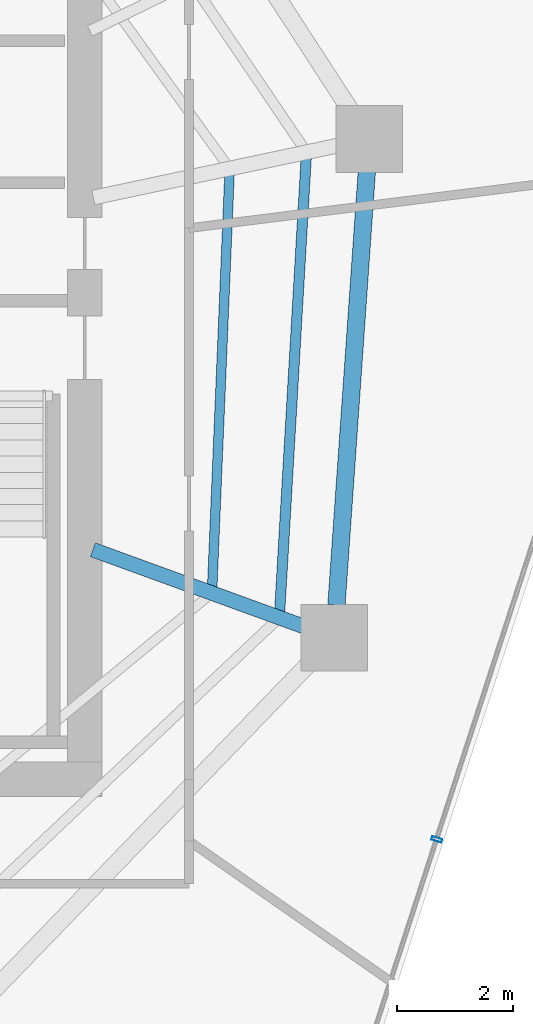
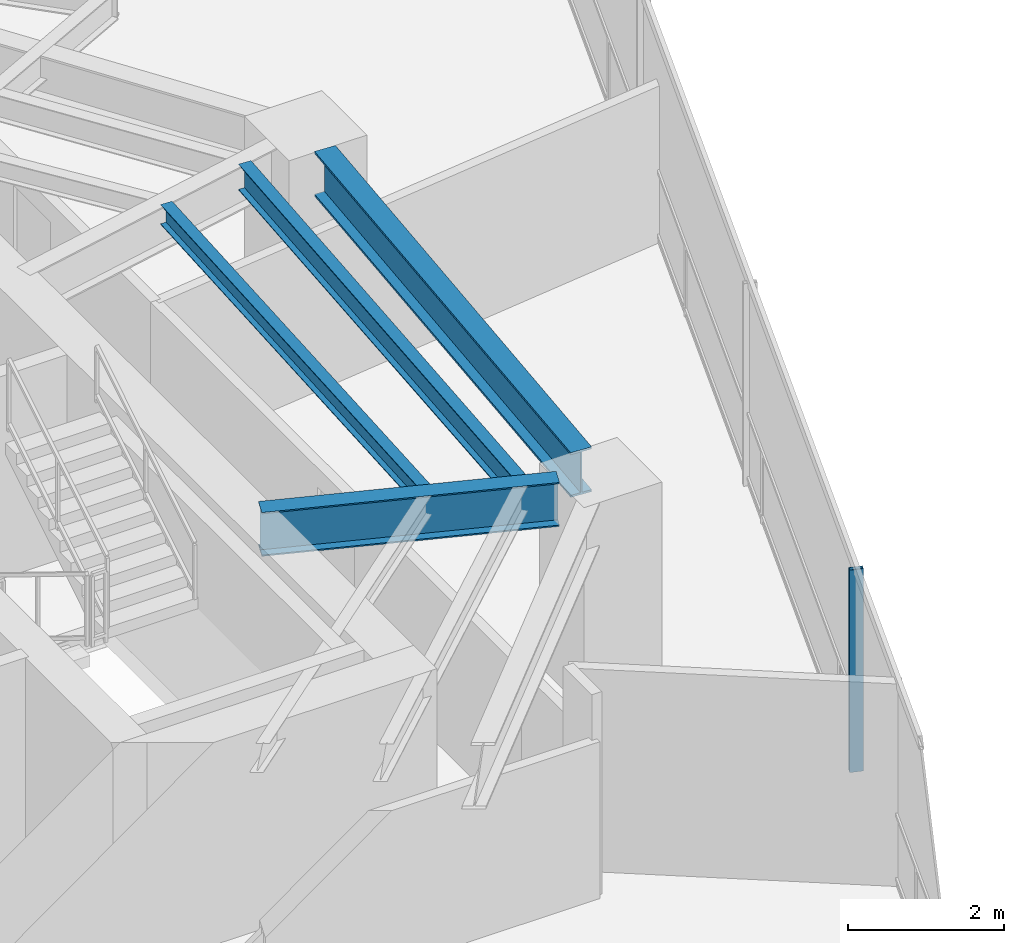
# One storey, part 11 of 27: 4 beams, 1 member, 1 element without a shape of its own.
"""IFC4 building model written with IfcOpenShell, lengths in metres."""

import ifcopenshell
import ifcopenshell.guid

model = None  # the IFC model being written
_history = None  # IfcOwnerHistory: only IFC2X3 demands one
_inside = {}  # id of a spatial element -> (the spatial element, [elements in it])
_under = {}  # id of a project, library or spatial element -> (it, [spatial elements below it])
_declared = {}  # id of a project -> (the project, [libraries it declares])
_typed = {}  # id of a type object -> (the type object, [elements of that type])
_made_of = {}  # id of a material, layer set ... -> (it, [elements and type objects made of it])


def new_model(schema):
    """Start an empty IFC model of exactly this schema.

    Asked for "IFC4X3", IfcOpenShell would pick the latest addendum, in which some entities
    have other attributes; the version numbers below select the first issue.
    IFC2X3 requires an IfcOwnerHistory on every rooted entity: one is made here for all.
    """
    global model, _history
    if schema == "IFC4X3":
        model = ifcopenshell.file(schema_version=(4, 3, 0, 0))
    else:
        model = ifcopenshell.file(schema=schema)
    _inside.clear()
    _under.clear()
    _declared.clear()
    _typed.clear()
    _made_of.clear()
    _history = None
    if model.schema == "IFC2X3":
        org = make("IfcOrganization", Name="unknown")
        user = make(
            "IfcPersonAndOrganization",
            ThePerson=make("IfcPerson", FamilyName="unknown"),
            TheOrganization=org,
        )
        app = make(
            "IfcApplication",
            ApplicationDeveloper=org,
            Version="unknown",
            ApplicationFullName="unknown",
            ApplicationIdentifier="unknown",
        )
        _history = make(
            "IfcOwnerHistory",
            OwningUser=user,
            OwningApplication=app,
            ChangeAction="ADDED",
            CreationDate=0,
        )
    return model


def make(cls, **values):
    """One entity of the class cls with the attributes given. An attribute that is None is left unset."""
    return model.create_entity(
        cls, **{name: value for name, value in values.items() if value is not None}
    )


def rooted(cls, **values):
    """An entity with a GlobalId (a new one), such as an element, a storey or a relation."""
    return make(cls, GlobalId=ifcopenshell.guid.new(), OwnerHistory=_history, **values)


def si_unit(unit_type, name, prefix=None):
    """IfcSIUnit, for example si_unit("LENGTHUNIT", "METRE", prefix="MILLI")."""
    return make("IfcSIUnit", UnitType=unit_type, Prefix=prefix, Name=name)


def assignment(units):
    """IfcUnitAssignment: the units of a project."""
    return None if units is None else make("IfcUnitAssignment", Units=units)


def point(xyz):
    """IfcCartesianPoint."""
    return None if xyz is None else make("IfcCartesianPoint", Coordinates=xyz)


def direction(xyz):
    """IfcDirection."""
    return None if xyz is None else make("IfcDirection", DirectionRatios=xyz)


def frame(location, z_axis=None, x_axis=None):
    """IfcAxis2Placement3D, a coordinate frame: its origin and axes. An axis left out is left unset."""
    return make(
        "IfcAxis2Placement3D",
        Location=point(location),
        Axis=direction(z_axis),
        RefDirection=direction(x_axis),
    )


def frame_2d(location, x_axis=None):
    """IfcAxis2Placement2D, a coordinate frame in the plane: its origin and x axis."""
    return make(
        "IfcAxis2Placement2D", Location=point(location), RefDirection=direction(x_axis)
    )


def origin():
    """The frame at (0, 0, 0) with its axes left unset."""
    return frame((0.0, 0.0, 0.0))


def origin_2d():
    """The frame at (0, 0) in the plane with its x axis left unset."""
    return frame_2d((0.0, 0.0))


def place(relative_to, where):
    """IfcLocalPlacement: puts the frame where relative to a parent placement (None: the world)."""
    return make(
        "IfcLocalPlacement", PlacementRelTo=relative_to, RelativePlacement=where
    )


def context(
    kind, dimensions, precision=None, world=None, true_north=None, identifier=None
):
    """IfcGeometricRepresentationContext, for example the 3D "Model" context."""
    return make(
        "IfcGeometricRepresentationContext",
        ContextIdentifier=identifier,
        ContextType=kind,
        CoordinateSpaceDimension=dimensions,
        Precision=precision,
        WorldCoordinateSystem=world,
        TrueNorth=true_north,
    )


def subcontext(parent, identifier, kind, view, scale=None):
    """IfcGeometricRepresentationSubContext, for example "Body" below "Model"."""
    return make(
        "IfcGeometricRepresentationSubContext",
        ContextIdentifier=identifier,
        ContextType=kind,
        ParentContext=parent,
        TargetScale=scale,
        TargetView=view,
    )


def project(units=None, contexts=None):
    """IfcProject with its units and contexts."""
    return rooted(
        "IfcProject",
        Name="project",
        RepresentationContexts=contexts,
        UnitsInContext=assignment(units),
    )


def spatial(cls, under=None, at=None, **own):
    """A site, building, storey or space (cls), placed at a placement, below another one or the project."""
    s = rooted(cls, ObjectPlacement=at, **own)
    if under is not None:
        _under.setdefault(under.id(), (under, []))[1].append(s)
    return s


def profile(cls, at=None, kind="AREA", **sizes):
    """A parametric profile (cls). Its sizes go by their IFC names, for example OverallWidth=200.0."""
    return make(cls, ProfileType=kind, Position=at, **sizes)


def hollow_rectangle(**sizes):
    """IfcRectangleHollowProfileDef."""
    return profile("IfcRectangleHollowProfileDef", **sizes)


def i_section(**sizes):
    """IfcIShapeProfileDef."""
    return profile("IfcIShapeProfileDef", **sizes)


def extrude(swept, where, along, depth):
    """IfcExtrudedAreaSolid: the profile swept, set in the frame where, extruded along a direction by depth."""
    return make(
        "IfcExtrudedAreaSolid",
        SweptArea=swept,
        Position=where,
        ExtrudedDirection=direction(along),
        Depth=depth,
    )


def shape(context_of_items, identifier, shape_type, items):
    """IfcShapeRepresentation: the items that make up one representation, for example the "Body"."""
    return make(
        "IfcShapeRepresentation",
        ContextOfItems=context_of_items,
        RepresentationIdentifier=identifier,
        RepresentationType=shape_type,
        Items=items,
    )


def material(Name=None, Category=None):
    """IfcMaterial."""
    return make("IfcMaterial", Name=Name, Category=Category)


def layer(
    of_material, thickness, ventilated=None, Name=None, Category=None, Priority=None
):
    """IfcMaterialLayer: one layer of a wall or slab, of a material (None: an air gap)."""
    return make(
        "IfcMaterialLayer",
        Material=of_material,
        LayerThickness=thickness,
        IsVentilated=ventilated,
        Name=Name,
        Category=Category,
        Priority=Priority,
    )


def layer_set(layers, Name=None):
    """IfcMaterialLayerSet."""
    return make("IfcMaterialLayerSet", MaterialLayers=layers, LayerSetName=Name)


def material_profile(
    of_material, cross_section, Name=None, Category=None, Priority=None
):
    """IfcMaterialProfile: a cross section and its material."""
    return make(
        "IfcMaterialProfile",
        Name=Name,
        Material=of_material,
        Profile=cross_section,
        Priority=Priority,
        Category=Category,
    )


def profile_set(profiles, Name=None, composite=None):
    """IfcMaterialProfileSet."""
    return make(
        "IfcMaterialProfileSet",
        Name=Name,
        MaterialProfiles=profiles,
        CompositeProfile=composite,
    )


def made_of(thing, what):
    """Note that an element or type object is made of a material, layer set ...; save() writes the relation."""
    if what is not None:
        _made_of.setdefault(what.id(), (what, []))[1].append(thing)
    return thing


def type_object(cls, material=None, **own):
    """A type object (cls), such as IfcWallType, which elements share."""
    return made_of(rooted(cls, **own), material)


def element(
    cls,
    number,
    at=None,
    inside=None,
    cuts=None,
    type_object=None,
    material=None,
    context=None,
    identifier="Body",
    shape_type=None,
    held_by="IfcProductDefinitionShape",
    body=None,
    shapes=None,
    **own,
):
    """One element of the class cls, such as IfcWall. Its Tag is "e" and its number.

    at: its placement. inside: the storey or other place that contains it. cuts: it is an
    opening in that element (IfcRelVoidsElement). A single representation is given by context,
    identifier, shape_type and body (its items); several are given by shapes. held_by: the class
    of the entity that holds the representations. save() writes the other relations.
    """
    e = rooted(cls, Tag="e%d" % number, ObjectPlacement=at, **own)
    if body is not None:
        shapes = [shape(context, identifier, shape_type, body)]
    if shapes is not None:
        e.Representation = make(held_by, Representations=shapes)
    if inside is not None:
        _inside.setdefault(inside.id(), (inside, []))[1].append(e)
    if cuts is not None:
        rooted(
            "IfcRelVoidsElement", RelatingBuildingElement=cuts, RelatedOpeningElement=e
        )
    if type_object is not None:
        _typed.setdefault(type_object.id(), (type_object, []))[1].append(e)
    return made_of(e, material)


def aggregate(whole, parts):
    """IfcRelAggregates: a whole, such as a stair, and the parts it consists of."""
    return rooted("IfcRelAggregates", RelatingObject=whole, RelatedObjects=parts)


def save(model, path):
    """Write the relations noted so far, then the file.

    IfcRelAggregates (storeys below a building ...), IfcRelContainedInSpatialStructure (elements
    in a storey), IfcRelDefinesByType, IfcRelAssociatesMaterial and IfcRelDeclares: one each for
    every whole, place, type object, material and project.
    """
    for whole, parts in _under.values():
        aggregate(whole, parts)
    for where, things in _inside.values():
        rooted(
            "IfcRelContainedInSpatialStructure",
            RelatedElements=things,
            RelatingStructure=where,
        )
    for kind, things in _typed.values():
        rooted("IfcRelDefinesByType", RelatedObjects=things, RelatingType=kind)
    for what, things in _made_of.values():
        rooted("IfcRelAssociatesMaterial", RelatedObjects=things, RelatingMaterial=what)
    for by, libraries in _declared.values():
        rooted("IfcRelDeclares", RelatingContext=by, RelatedDefinitions=libraries)
    model.write(path)


model = new_model("IFC4")

# Units and contexts
model_context = context("Model", 3, precision=1e-05, world=origin(), true_north=direction((0.0, 1.0)))
body_context = subcontext(model_context, "Body", "Model", "MODEL_VIEW")
ifc_project = project(units=[si_unit("LENGTHUNIT", "METRE"), si_unit("AREAUNIT", "SQUARE_METRE"), si_unit("VOLUMEUNIT", "CUBIC_METRE"), si_unit("PLANEANGLEUNIT", "RADIAN"), si_unit("MASSUNIT", "GRAM", prefix="KILO")], contexts=[model_context])

# Site, building, storey
site_placement = place(None, origin())
site = spatial("IfcSite", under=ifc_project, at=site_placement, CompositionType="ELEMENT")
building_placement = place(site_placement, origin())
building = spatial("IfcBuilding", under=site, at=building_placement, Name="Qarnah Convention Tower", CompositionType="ELEMENT")
storey_placement = place(building_placement, frame((0.0, 0.0, 110.85009765625)))
storey = spatial("IfcBuildingStorey", under=building, at=storey_placement, Name="L29", CompositionType="ELEMENT", Elevation=110.85009765625)

# Beams
ifc_material_1 = material(Name="Structural steel S355JR", Category="steel")
ifc_material_profile_1 = material_profile(ifc_material_1, i_section(OverallWidth=0.166015625, OverallDepth=0.31201171875, WebThickness=0.007080078125, FlangeThickness=0.010986328125, at=origin_2d()), Name="W310X45")
ifc_profile_set_1 = profile_set([ifc_material_profile_1], Name="Structural steel S355JR")
beam_type_1 = type_object("IfcBeamType", Name="BM-JST-W310", PredefinedType="JOIST", material=ifc_profile_set_1)
beam_1_placement = place(storey_placement, frame((49.800048828125, 21.905029296875, 3.013916015625), z_axis=(0.04180371464, 0.999125842646, 0.0), x_axis=(-0.999125842646, 0.04180371464, 0.0)))
element("IfcBeam", 1, at=beam_1_placement, inside=storey, type_object=beam_type_1, Name="L29 joist BM-L29-IJST-09", PredefinedType="JOIST", context=body_context, shape_type="SweptSolid", body=[
    extrude(i_section(OverallWidth=0.166015625, OverallDepth=0.31201171875, WebThickness=0.007080078125, FlangeThickness=0.010986328125, at=origin_2d()), origin(), (0.0, 0.0, 1.0), 7.154296875),
])
ifc_material_profile_2 = material_profile(ifc_material_1, i_section(OverallWidth=0.177978515625, OverallDepth=0.407958984375, WebThickness=0.008056640625, FlangeThickness=0.012939453125, at=origin_2d()), Name="W410X60")
ifc_profile_set_2 = profile_set([ifc_material_profile_2], Name="Structural steel S355JR")
beam_type_2 = type_object("IfcBeamType", Name="BM-JST-W410", PredefinedType="JOIST", material=ifc_profile_set_2)
beam_2_placement = place(storey_placement, frame((50.964111328125, 21.48193359375, 2.9658203125), z_axis=(0.058347234221, 0.998296348916, 0.0), x_axis=(-0.998296348916, 0.058347234221, 0.0)))
element("IfcBeam", 2, at=beam_2_placement, inside=storey, type_object=beam_type_2, Name="L29 joist BM-L29-SJST-09", PredefinedType="JOIST", context=body_context, shape_type="SweptSolid", body=[
    extrude(i_section(OverallWidth=0.177978515625, OverallDepth=0.407958984375, WebThickness=0.008056640625, FlangeThickness=0.012939453125, at=origin_2d()), origin(), (0.0, 0.0, 1.0), 7.866455078125),
])
ifc_material_profile_3 = material_profile(ifc_material_1, i_section(OverallWidth=0.25390625, OverallDepth=0.68798828125, WebThickness=0.012939453125, FlangeThickness=0.02099609375, at=origin_2d()), Name="W690X152")
ifc_profile_set_3 = profile_set([ifc_material_profile_3], Name="Structural steel S355JR")
beam_type_3 = type_object("IfcBeamType", Name="BM-RAD-W690", PredefinedType="BEAM", material=ifc_profile_set_3)
beam_3_placement = place(storey_placement, frame((47.740966796875, 22.56298828125, 2.825927734375), z_axis=(0.93969593668, -0.342011032845, 0.0), x_axis=(0.342011032845, 0.93969593668, 0.0)))
element("IfcBeam", 3, at=beam_3_placement, inside=storey, type_object=beam_type_3, Name="L29 beam BM-L29-RAD-09", PredefinedType="BEAM", context=body_context, shape_type="SweptSolid", body=[
    extrude(i_section(OverallWidth=0.25390625, OverallDepth=0.68798828125, WebThickness=0.012939453125, FlangeThickness=0.02099609375, at=origin_2d()), origin(), (0.0, 0.0, 1.0), 3.876953125),
])
ifc_material_profile_4 = material_profile(ifc_material_1, i_section(OverallWidth=0.300048828125, OverallDepth=0.699951171875, WebThickness=0.01708984375, FlangeThickness=0.031982421875, at=origin_2d()), Name="HEB700")
ifc_profile_set_4 = profile_set([ifc_material_profile_4], Name="Structural steel S355JR")
beam_type_4 = type_object("IfcBeamType", Name="BM-RING-HEB700", PredefinedType="BEAM", material=ifc_profile_set_4)
beam_4_placement = place(storey_placement, frame((51.945068359375, 21.611083984375, 2.81982421875), z_axis=(0.069881623509, 0.997555291047, 0.0), x_axis=(-0.997555291047, 0.069881623509, 0.0)))
element("IfcBeam", 4, at=beam_4_placement, inside=storey, type_object=beam_type_4, Name="L29 beam BM-L29-SPN-09", PredefinedType="BEAM", context=body_context, shape_type="SweptSolid", body=[
    extrude(i_section(OverallWidth=0.300048828125, OverallDepth=0.699951171875, WebThickness=0.01708984375, FlangeThickness=0.031982421875, at=origin_2d()), origin(), (0.0, 0.0, 1.0), 7.497314453125),
])

# Curtain wall, member
ifc_material_2 = material(Name="Tempered Low-E dark glass", Category="glass")
ifc_layer = layer(ifc_material_2, 0.169921875)
ifc_layer_set = layer_set([ifc_layer], Name="Tempered Low-E dark glass")
curtain_wall_type = type_object("IfcCurtainWallType", Name="CWS-02", PredefinedType="NOTDEFINED", material=ifc_layer_set)
curtain_wall_placement = place(storey_placement, origin())
curtain_wall = element("IfcCurtainWall", 5, at=curtain_wall_placement, inside=storey, type_object=curtain_wall_type, Name="L29 unitised curtain wall CW-L29-F2", PredefinedType="NOTDEFINED")
ifc_material_3 = material(Name="Black anodised aluminium", Category="aluminium")
ifc_material_profile_5 = material_profile(ifc_material_3, hollow_rectangle(XDim=0.06494140625, YDim=0.179931640625, WallThickness=0.00390625, at=origin_2d()), Name="MUL-65X180")
ifc_profile_set_5 = profile_set([ifc_material_profile_5], Name="Black anodised aluminium")
member_type = type_object("IfcMemberType", Name="MUL-T2", PredefinedType="MULLION", material=ifc_profile_set_5)
member_placement = place(storey_placement, frame((53.677001953125, 17.5625, 0.0), z_axis=(0.0, 0.0, 1.0), x_axis=(-0.309011433682, -0.951058323056, 0.0)))
member = element("IfcMember", 6, at=member_placement, type_object=member_type, Name="CW-L29-F2 mullion 4", PredefinedType="MULLION", context=body_context, shape_type="SweptSolid", body=[
    extrude(hollow_rectangle(XDim=0.06494140625, YDim=0.179931640625, WallThickness=0.00390625, at=origin_2d()), origin(), (0.0, 0.0, 1.0), 3.169921875),
])
aggregate(curtain_wall, [member])

save(model, "model.ifc")
